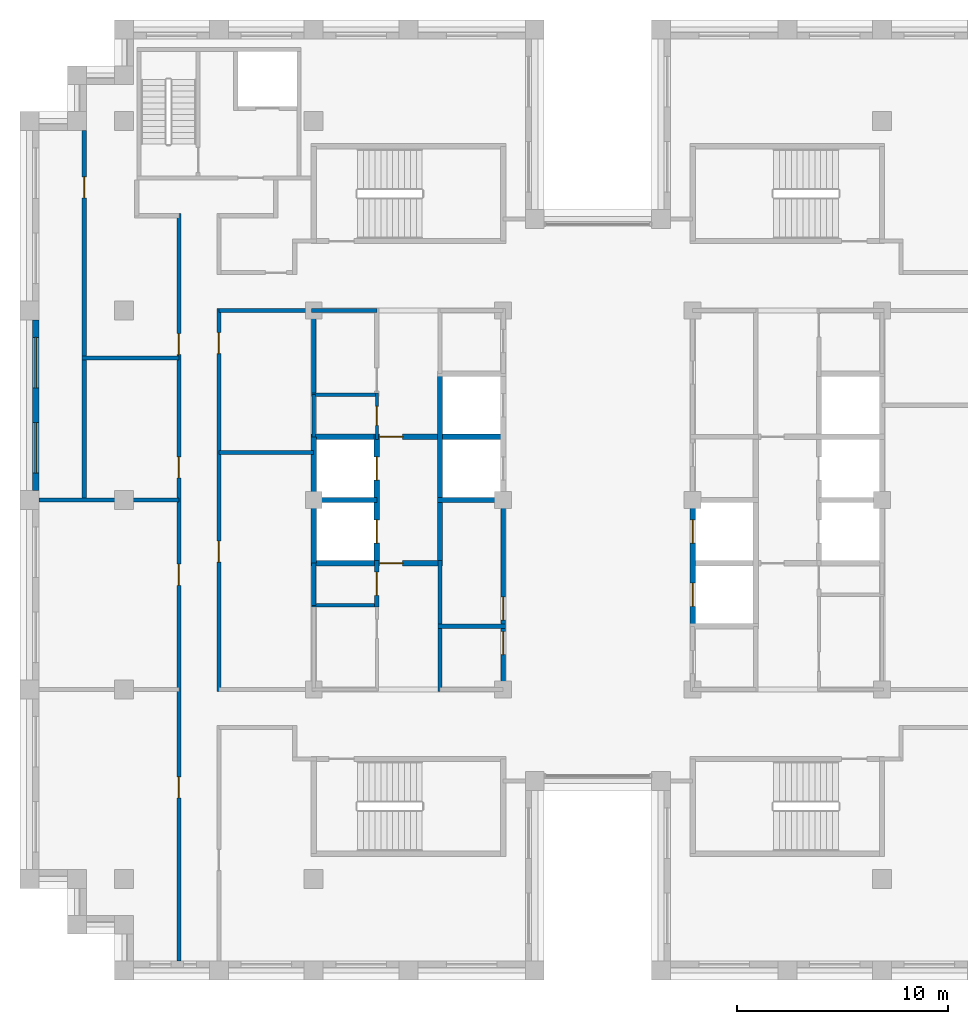
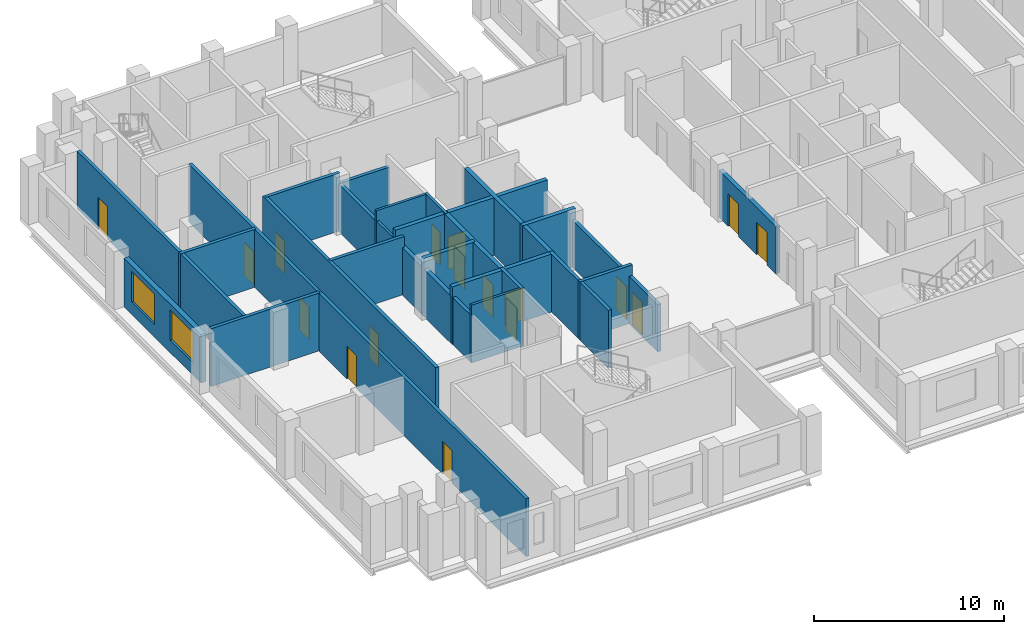
# One storey, part 7 of 13: 27 walls, 17 doors, 2 windows, 19 openings.
"""IFC4 building model written with IfcOpenShell, lengths in metres."""

from ifc_helpers import new_model, si_unit, direction, frame, frame_2d, origin, place, context, subcontext, project, spatial, rectangle, extrude, material, layer, layer_set, type_object, element, fill, save


model = new_model("IFC4")

# Units and contexts
model_context = context("Model", 3, precision=1e-05, world=origin(), true_north=direction((0.0, 1.0)))
body_context = subcontext(model_context, "Body", "Model", "MODEL_VIEW")
ifc_project = project(units=[si_unit("LENGTHUNIT", "METRE"), si_unit("AREAUNIT", "SQUARE_METRE"), si_unit("VOLUMEUNIT", "CUBIC_METRE"), si_unit("PLANEANGLEUNIT", "RADIAN"), si_unit("MASSUNIT", "GRAM", prefix="KILO")], contexts=[model_context])

# Site, building, storey
site_placement = place(None, origin())
site = spatial("IfcSite", under=ifc_project, at=site_placement, CompositionType="ELEMENT")
building_placement = place(site_placement, origin())
building = spatial("IfcBuilding", under=site, at=building_placement, Name="Corbelhall Arena Tower", CompositionType="ELEMENT")
storey_placement = place(building_placement, frame((0.0, 0.0, 250.0)))
storey = spatial("IfcBuildingStorey", under=building, at=storey_placement, Name="L53", CompositionType="ELEMENT", Elevation=250.0)

# Wall, openings, windows
ifc_material_1 = material(Name="Precast concrete C40/50 with granite facing", Category="masonry")
ifc_layer_1 = layer(ifc_material_1, 0.300048828125)
ifc_layer_set_1 = layer_set([ifc_layer_1], Name="EV-IW1 Infill panel 300")
wall_type_1 = type_object("IfcWallType", Name="EV-IW1 Infill panel 300", PredefinedType="SOLIDWALL", material=ifc_layer_set_1)
wall_1_placement = place(storey_placement, frame((-26.699951171875, 8.550048828125, 0.0), z_axis=(0.0, 0.0, 1.0), x_axis=(0.0, -1.0, 0.0)))
wall_1 = element("IfcWall", 1, at=wall_1_placement, inside=storey, type_object=wall_type_1, Name="Infill panel IW1", PredefinedType="SOLIDWALL", context=body_context, shape_type="SweptSolid", body=[
    extrude(rectangle(XDim=8.10009765625, YDim=0.300048828125, at=frame_2d((4.050048828125, 0.0))), origin(), (0.0, 0.0, 1.0), 3.1201171875),
])
opening_1_placement = place(wall_1_placement, frame((0.824951171875, 0.0, 0.800048828125)))
opening_1 = element("IfcOpeningElement", 2, at=opening_1_placement, cuts=wall_1, Name="Opening WN1", PredefinedType="OPENING", context=body_context, shape_type="SweptSolid", body=[
    extrude(rectangle(XDim=2.39990234375, YDim=1.949951171875, at=frame_2d((1.199951171875, 0.97509765625))), frame((0.0, 0.14990234375, 0.0), z_axis=(0.0, -1.0, 0.0), x_axis=(1.0, 0.0, 0.0)), (0.0, 0.0, 1.0), 0.300048828125),
])
opening_2_placement = place(wall_1_placement, frame((4.875, 0.0, 0.800048828125)))
opening_2 = element("IfcOpeningElement", 3, at=opening_2_placement, cuts=wall_1, Name="Opening WN1", PredefinedType="OPENING", context=body_context, shape_type="SweptSolid", body=[
    extrude(rectangle(XDim=2.39990234375, YDim=1.949951171875, at=frame_2d((1.199951171875, 0.97509765625))), frame((0.0, 0.14990234375, 0.0), z_axis=(0.0, -1.0, 0.0), x_axis=(1.0, 0.0, 0.0)), (0.0, 0.0, 1.0), 0.300048828125),
])
ifc_material_2 = material(Name="Aluminium black anodised", Category="aluminium")
window_type = type_object("IfcWindowType", Name="EV-WN1 Office window", PartitioningType="SINGLE_PANEL", PredefinedType="WINDOW", material=ifc_material_2)
window_1_placement = place(opening_1_placement, origin())
window_1 = element("IfcWindow", 4, at=window_1_placement, inside=storey, type_object=window_type, Name="Window WN1", OverallHeight=1.949951171875, OverallWidth=2.39990234375, PartitioningType="SINGLE_PANEL", PredefinedType="WINDOW", context=body_context, shape_type="SweptSolid", body=[
    extrude(rectangle(XDim=2.39990234375, YDim=1.949951171875, at=frame_2d((1.199951171875, 0.97509765625))), frame((0.0, 0.030029296875, 0.0), z_axis=(0.0, -1.0, 0.0), x_axis=(1.0, 0.0, 0.0)), (0.0, 0.0, 1.0), 0.06005859375),
])
fill(opening_1, window_1)
window_2_placement = place(opening_2_placement, origin())
window_2 = element("IfcWindow", 5, at=window_2_placement, inside=storey, type_object=window_type, Name="Window WN1", OverallHeight=1.949951171875, OverallWidth=2.39990234375, PartitioningType="SINGLE_PANEL", PredefinedType="WINDOW", context=body_context, shape_type="SweptSolid", body=[
    extrude(rectangle(XDim=2.39990234375, YDim=1.949951171875, at=frame_2d((1.199951171875, 0.97509765625))), frame((0.0, 0.030029296875, 0.0), z_axis=(0.0, -1.0, 0.0), x_axis=(1.0, 0.0, 0.0)), (0.0, 0.0, 1.0), 0.06005859375),
])
fill(opening_2, window_2)

# Wall
ifc_material_3 = material(Name="Gypsum board on steel stud, acoustic", Category="steel")
ifc_layer_2 = layer(ifc_material_3, 0.199951171875)
ifc_layer_set_2 = layer_set([ifc_layer_2], Name="IN-W-DM200")
wall_type_2 = type_object("IfcWallType", Name="IN-W-DM200", PredefinedType="PARTITIONING", material=ifc_layer_set_2)
wall_2_placement = place(storey_placement, frame((-24.5, 6.75, 0.0), z_axis=(0.0, 0.0, 1.0), x_axis=(1.0, 0.0, 0.0)))
element("IfcWall", 6, at=wall_2_placement, inside=storey, type_object=wall_type_2, Name="Partition 002", PredefinedType="PARTITIONING", context=body_context, shape_type="SweptSolid", body=[
    extrude(rectangle(XDim=4.60009765625, YDim=0.199951171875, at=frame_2d((2.300048828125, 0.0))), origin(), (0.0, 0.0, 1.0), 3.719970703125),
])

# Wall, opening, door
wall_3_placement = place(storey_placement, frame((-24.39990234375, -0.10009765625, 0.0), z_axis=(0.0, 0.0, 1.0), x_axis=(0.0, 1.0, 0.0)))
wall_3 = element("IfcWall", 7, at=wall_3_placement, inside=storey, type_object=wall_type_2, Name="Partition 003", PredefinedType="PARTITIONING", context=body_context, shape_type="SweptSolid", body=[
    extrude(rectangle(XDim=17.650146484375, YDim=0.199951171875, at=frame_2d((8.8251953125, 0.0))), origin(), (0.0, 0.0, 1.0), 3.719970703125),
])
opening_3_placement = place(wall_3_placement, frame((14.449951171875, 0.0, 0.0)))
opening_3 = element("IfcOpeningElement", 8, at=opening_3_placement, cuts=wall_3, Name="Opening 16031", PredefinedType="OPENING", context=body_context, shape_type="SweptSolid", body=[
    extrude(rectangle(XDim=1.0, YDim=2.10009765625, at=frame_2d((0.5, 1.050048828125))), frame((0.0, 0.10009765625, 0.0), z_axis=(0.0, -1.0, 0.0), x_axis=(1.0, 0.0, 0.0)), (0.0, 0.0, 1.0), 0.199951171875),
])
ifc_material_4 = material(Name="Steel door set", Category="steel")
door_type_1 = type_object("IfcDoorType", Name="IN-D-SW100", OperationType="NOTDEFINED", PredefinedType="DOOR", material=ifc_material_4)
door_1_placement = place(opening_3_placement, origin())
door_1 = element("IfcDoor", 9, at=door_1_placement, inside=storey, type_object=door_type_1, Name="Door 031", OperationType="SINGLE_SWING_RIGHT", OverallHeight=2.10009765625, OverallWidth=1.0, PredefinedType="DOOR", context=body_context, shape_type="SweptSolid", body=[
    extrude(rectangle(XDim=1.0, YDim=2.10009765625, at=frame_2d((0.5, 1.050048828125))), frame((0.0, 0.02490234375, 0.0), z_axis=(0.0, -1.0, 0.0), x_axis=(1.0, 0.0, 0.0)), (0.0, 0.0, 1.0), 0.050048828125),
])
fill(opening_3, door_1)

# Wall
wall_4_placement = place(storey_placement, frame((-19.89990234375, 0.0, 0.0), z_axis=(0.0, 0.0, 1.0), x_axis=(-1.0, 0.0, 0.0)))
element("IfcWall", 10, at=wall_4_placement, inside=storey, type_object=wall_type_2, Name="Partition 004", PredefinedType="PARTITIONING", context=body_context, shape_type="SweptSolid", body=[
    extrude(rectangle(XDim=6.650146484375, YDim=0.199951171875, at=frame_2d((3.3251953125, 0.0))), origin(), (0.0, 0.0, 1.0), 3.719970703125),
])

# Wall, openings, doors
wall_5_placement = place(storey_placement, frame((-19.89990234375, -21.89990234375, 0.0), z_axis=(0.0, 0.0, 1.0), x_axis=(0.0, 1.0, 0.0)))
wall_5 = element("IfcWall", 11, at=wall_5_placement, inside=storey, type_object=wall_type_2, Name="Partition 006", PredefinedType="PARTITIONING", context=body_context, shape_type="SweptSolid", body=[
    extrude(rectangle(XDim=35.5, YDim=0.199951171875, at=frame_2d((17.75, 0.0))), origin(), (0.0, 0.0, 1.0), 3.719970703125),
])
opening_4_placement = place(wall_5_placement, frame((22.949951171875, 0.0, 0.0)))
opening_4 = element("IfcOpeningElement", 12, at=opening_4_placement, cuts=wall_5, Name="Opening 16029", PredefinedType="OPENING", context=body_context, shape_type="SweptSolid", body=[
    extrude(rectangle(XDim=1.0, YDim=2.10009765625, at=frame_2d((0.5, 1.050048828125))), frame((0.0, 0.10009765625, 0.0), z_axis=(0.0, -1.0, 0.0), x_axis=(1.0, 0.0, 0.0)), (0.0, 0.0, 1.0), 0.199951171875),
])
opening_5_placement = place(wall_5_placement, frame((28.800048828125, 0.0, 0.0)))
opening_5 = element("IfcOpeningElement", 13, at=opening_5_placement, cuts=wall_5, Name="Opening 16030", PredefinedType="OPENING", context=body_context, shape_type="SweptSolid", body=[
    extrude(rectangle(XDim=1.0, YDim=2.10009765625, at=frame_2d((0.5, 1.050048828125))), frame((0.0, 0.10009765625, 0.0), z_axis=(0.0, -1.0, 0.0), x_axis=(1.0, 0.0, 0.0)), (0.0, 0.0, 1.0), 0.199951171875),
])
opening_6_placement = place(wall_5_placement, frame((7.75, 0.0, 0.0)))
opening_6 = element("IfcOpeningElement", 14, at=opening_6_placement, cuts=wall_5, Name="Opening 16032", PredefinedType="OPENING", context=body_context, shape_type="SweptSolid", body=[
    extrude(rectangle(XDim=1.0, YDim=2.10009765625, at=frame_2d((0.5, 1.050048828125))), frame((0.0, 0.10009765625, 0.0), z_axis=(0.0, -1.0, 0.0), x_axis=(1.0, 0.0, 0.0)), (0.0, 0.0, 1.0), 0.199951171875),
])
opening_7_placement = place(wall_5_placement, frame((17.85009765625, 0.0, 0.0)))
opening_7 = element("IfcOpeningElement", 15, at=opening_7_placement, cuts=wall_5, Name="Opening 16033", PredefinedType="OPENING", context=body_context, shape_type="SweptSolid", body=[
    extrude(rectangle(XDim=1.0, YDim=2.10009765625, at=frame_2d((0.5, 1.050048828125))), frame((0.0, 0.10009765625, 0.0), z_axis=(0.0, -1.0, 0.0), x_axis=(1.0, 0.0, 0.0)), (0.0, 0.0, 1.0), 0.199951171875),
])
door_2_placement = place(opening_4_placement, origin())
door_2 = element("IfcDoor", 16, at=door_2_placement, inside=storey, type_object=door_type_1, Name="Door 029", OperationType="SINGLE_SWING_RIGHT", OverallHeight=2.10009765625, OverallWidth=1.0, PredefinedType="DOOR", context=body_context, shape_type="SweptSolid", body=[
    extrude(rectangle(XDim=1.0, YDim=2.10009765625, at=frame_2d((0.5, 1.050048828125))), frame((0.0, 0.02490234375, 0.0), z_axis=(0.0, -1.0, 0.0), x_axis=(1.0, 0.0, 0.0)), (0.0, 0.0, 1.0), 0.050048828125),
])
fill(opening_4, door_2)
door_3_placement = place(opening_5_placement, origin())
door_3 = element("IfcDoor", 17, at=door_3_placement, inside=storey, type_object=door_type_1, Name="Door 030", OperationType="SINGLE_SWING_LEFT", OverallHeight=2.10009765625, OverallWidth=1.0, PredefinedType="DOOR", context=body_context, shape_type="SweptSolid", body=[
    extrude(rectangle(XDim=1.0, YDim=2.10009765625, at=frame_2d((0.5, 1.050048828125))), frame((0.0, 0.02490234375, 0.0), z_axis=(0.0, -1.0, 0.0), x_axis=(1.0, 0.0, 0.0)), (0.0, 0.0, 1.0), 0.050048828125),
])
fill(opening_5, door_3)
door_4_placement = place(opening_6_placement, origin())
door_4 = element("IfcDoor", 18, at=door_4_placement, inside=storey, type_object=door_type_1, Name="Door 032", OperationType="SINGLE_SWING_LEFT", OverallHeight=2.10009765625, OverallWidth=1.0, PredefinedType="DOOR", context=body_context, shape_type="SweptSolid", body=[
    extrude(rectangle(XDim=1.0, YDim=2.10009765625, at=frame_2d((0.5, 1.050048828125))), frame((0.0, 0.02490234375, 0.0), z_axis=(0.0, -1.0, 0.0), x_axis=(1.0, 0.0, 0.0)), (0.0, 0.0, 1.0), 0.050048828125),
])
fill(opening_6, door_4)
door_5_placement = place(opening_7_placement, origin())
door_5 = element("IfcDoor", 19, at=door_5_placement, inside=storey, type_object=door_type_1, Name="Door 033", OperationType="SINGLE_SWING_RIGHT", OverallHeight=2.10009765625, OverallWidth=1.0, PredefinedType="DOOR", context=body_context, shape_type="SweptSolid", body=[
    extrude(rectangle(XDim=1.0, YDim=2.10009765625, at=frame_2d((0.5, 1.050048828125))), frame((0.0, 0.02490234375, 0.0), z_axis=(0.0, -1.0, 0.0), x_axis=(1.0, 0.0, 0.0)), (0.0, 0.0, 1.0), 0.050048828125),
])
fill(opening_7, door_5)

# Wall
wall_6_placement = place(storey_placement, frame((-18.0, 2.25, 0.0), z_axis=(0.0, 0.0, 1.0), x_axis=(1.0, 0.0, 0.0)))
element("IfcWall", 20, at=wall_6_placement, inside=storey, type_object=wall_type_2, Name="Partition 010", PredefinedType="PARTITIONING", context=body_context, shape_type="SweptSolid", body=[
    extrude(rectangle(XDim=4.5, YDim=0.199951171875, at=frame_2d((2.25, 0.0))), origin(), (0.0, 0.0, 1.0), 3.719970703125),
])

# Wall, openings, doors
wall_7_placement = place(storey_placement, frame((-18.0, 9.10009765625, 0.0), z_axis=(0.0, 0.0, 1.0), x_axis=(0.0, -1.0, 0.0)))
wall_7 = element("IfcWall", 21, at=wall_7_placement, inside=storey, type_object=wall_type_2, Name="Partition 011", PredefinedType="PARTITIONING", context=body_context, shape_type="SweptSolid", body=[
    extrude(rectangle(XDim=18.2001953125, YDim=0.199951171875, at=frame_2d((9.10009765625, 0.0))), origin(), (0.0, 0.0, 1.0), 3.719970703125),
])
opening_8_placement = place(wall_7_placement, frame((11.050048828125, 0.0, 0.0)))
opening_8 = element("IfcOpeningElement", 22, at=opening_8_placement, cuts=wall_7, Name="Opening 16021", PredefinedType="OPENING", context=body_context, shape_type="SweptSolid", body=[
    extrude(rectangle(XDim=1.0, YDim=2.10009765625, at=frame_2d((0.5, 1.050048828125))), frame((0.0, 0.10009765625, 0.0), z_axis=(0.0, -1.0, 0.0), x_axis=(1.0, 0.0, 0.0)), (0.0, 0.0, 1.0), 0.199951171875),
])
opening_9_placement = place(wall_7_placement, frame((1.14990234375, 0.0, 0.0)))
opening_9 = element("IfcOpeningElement", 23, at=opening_9_placement, cuts=wall_7, Name="Opening 16022", PredefinedType="OPENING", context=body_context, shape_type="SweptSolid", body=[
    extrude(rectangle(XDim=1.0, YDim=2.10009765625, at=frame_2d((0.5, 1.050048828125))), frame((0.0, 0.10009765625, 0.0), z_axis=(0.0, -1.0, 0.0), x_axis=(1.0, 0.0, 0.0)), (0.0, 0.0, 1.0), 0.199951171875),
])
door_6_placement = place(opening_8_placement, origin())
door_6 = element("IfcDoor", 24, at=door_6_placement, inside=storey, type_object=door_type_1, Name="Door 021", OperationType="SINGLE_SWING_RIGHT", OverallHeight=2.10009765625, OverallWidth=1.0, PredefinedType="DOOR", context=body_context, shape_type="SweptSolid", body=[
    extrude(rectangle(XDim=1.0, YDim=2.10009765625, at=frame_2d((0.5, 1.050048828125))), frame((0.0, 0.02490234375, 0.0), z_axis=(0.0, -1.0, 0.0), x_axis=(1.0, 0.0, 0.0)), (0.0, 0.0, 1.0), 0.050048828125),
])
fill(opening_8, door_6)
door_7_placement = place(opening_9_placement, origin())
door_7 = element("IfcDoor", 25, at=door_7_placement, inside=storey, type_object=door_type_1, Name="Door 022", OperationType="SINGLE_SWING_LEFT", OverallHeight=2.10009765625, OverallWidth=1.0, PredefinedType="DOOR", context=body_context, shape_type="SweptSolid", body=[
    extrude(rectangle(XDim=1.0, YDim=2.10009765625, at=frame_2d((0.5, 1.050048828125))), frame((0.0, 0.02490234375, 0.0), z_axis=(0.0, -1.0, 0.0), x_axis=(1.0, 0.0, 0.0)), (0.0, 0.0, 1.0), 0.050048828125),
])
fill(opening_9, door_7)

# Wall
wall_8_placement = place(storey_placement, frame((-13.5, 9.0, 0.0), z_axis=(0.0, 0.0, 1.0), x_axis=(-1.0, 0.0, 0.0)))
element("IfcWall", 26, at=wall_8_placement, inside=storey, type_object=wall_type_2, Name="Partition 019", PredefinedType="PARTITIONING", context=body_context, shape_type="SweptSolid", body=[
    extrude(rectangle(XDim=4.5, YDim=0.199951171875, at=frame_2d((2.25, 0.0))), origin(), (0.0, 0.0, 1.0), 3.719970703125),
])

# Wall, opening, door
ifc_material_5 = material(Name="Concrete block wall", Category="concrete")
ifc_layer_3 = layer(ifc_material_5, 0.199951171875)
ifc_layer_set_3 = layer_set([ifc_layer_3], Name="IN-W-RS200")
wall_type_3 = type_object("IfcWallType", Name="IN-W-RS200", PredefinedType="SOLIDWALL", material=ifc_layer_set_3)
wall_9_placement = place(storey_placement, frame((-10.5, -5.074951171875, 0.0), z_axis=(0.0, 0.0, 1.0), x_axis=(0.0, 1.0, 0.0)))
wall_9 = element("IfcWall", 27, at=wall_9_placement, inside=storey, type_object=wall_type_3, Name="Partition 047", PredefinedType="SOLIDWALL", context=body_context, shape_type="SweptSolid", body=[
    extrude(rectangle(XDim=2.199951171875, YDim=0.199951171875, at=frame_2d((1.10009765625, 0.0))), origin(), (0.0, 0.0, 1.0), 3.719970703125),
])
opening_10_placement = place(wall_9_placement, frame((0.550048828125, 0.0, 0.0)))
opening_10 = element("IfcOpeningElement", 28, at=opening_10_placement, cuts=wall_9, Name="Opening 16007", PredefinedType="OPENING", context=body_context, shape_type="SweptSolid", body=[
    extrude(rectangle(XDim=1.10009765625, YDim=2.10009765625, at=frame_2d((0.550048828125, 1.050048828125))), frame((0.0, 0.10009765625, 0.0), z_axis=(0.0, -1.0, 0.0), x_axis=(1.0, 0.0, 0.0)), (0.0, 0.0, 1.0), 0.199951171875),
])
door_type_2 = type_object("IfcDoorType", Name="IN-D-FD110", OperationType="NOTDEFINED", PredefinedType="DOOR", material=ifc_material_4)
door_8_placement = place(opening_10_placement, origin())
door_8 = element("IfcDoor", 29, at=door_8_placement, inside=storey, type_object=door_type_2, Name="Door 007", OperationType="SINGLE_SWING_RIGHT", OverallHeight=2.10009765625, OverallWidth=1.10009765625, PredefinedType="DOOR", context=body_context, shape_type="SweptSolid", body=[
    extrude(rectangle(XDim=1.10009765625, YDim=2.10009765625, at=frame_2d((0.550048828125, 1.050048828125))), frame((0.0, 0.02490234375, 0.0), z_axis=(0.0, -1.0, 0.0), x_axis=(1.0, 0.0, 0.0)), (0.0, 0.0, 1.0), 0.050048828125),
])
fill(opening_10, door_8)

# Walls
wall_10_placement = place(storey_placement, frame((-7.60009765625, -6.0, 0.0), z_axis=(0.0, 0.0, 1.0), x_axis=(1.0, 0.0, 0.0)))
element("IfcWall", 30, at=wall_10_placement, inside=storey, type_object=wall_type_3, Name="Partition 049", PredefinedType="SOLIDWALL", context=body_context, shape_type="SweptSolid", body=[
    extrude(rectangle(XDim=3.2001953125, YDim=0.199951171875, at=frame_2d((1.60009765625, 0.0))), origin(), (0.0, 0.0, 1.0), 3.719970703125),
])
wall_11_placement = place(storey_placement, frame((-7.5, -9.10009765625, 0.0), z_axis=(0.0, 0.0, 1.0), x_axis=(0.0, 1.0, 0.0)))
element("IfcWall", 31, at=wall_11_placement, inside=storey, type_object=wall_type_3, Name="Partition 050", PredefinedType="SOLIDWALL", context=body_context, shape_type="SweptSolid", body=[
    extrude(rectangle(XDim=6.22509765625, YDim=0.199951171875, at=frame_2d((3.112548828125, 0.0))), origin(), (0.0, 0.0, 1.0), 3.719970703125),
])
ifc_layer_4 = layer(ifc_material_5, 0.199951171875)
ifc_layer_set_4 = layer_set([ifc_layer_4], Name="IN-W-RS200 under beam 678 mm")
wall_type_4 = type_object("IfcWallType", Name="IN-W-RS200 under beam 678 mm", PredefinedType="SOLIDWALL", material=ifc_layer_set_4)
wall_12_placement = place(storey_placement, frame((-13.60009765625, 9.0, 0.0), z_axis=(0.0, 0.0, 1.0), x_axis=(1.0, 0.0, 0.0)))
element("IfcWall", 32, at=wall_12_placement, inside=storey, type_object=wall_type_4, Name="Partition 044", PredefinedType="SOLIDWALL", context=body_context, shape_type="SweptSolid", body=[
    extrude(rectangle(XDim=3.10009765625, YDim=0.199951171875, at=frame_2d((1.550048828125, 0.0))), origin(), (0.0, 0.0, 1.0), 3.041748046875),
])
wall_13_placement = place(storey_placement, frame((-13.5, -5.0, 0.0), z_axis=(0.0, 0.0, 1.0), x_axis=(0.0, 1.0, 0.0)))
element("IfcWall", 33, at=wall_13_placement, inside=storey, type_object=wall_type_4, Name="Partition 045", PredefinedType="SOLIDWALL", context=body_context, shape_type="SweptSolid", body=[
    extrude(rectangle(XDim=2.0, YDim=0.199951171875, at=frame_2d((1.0, 0.0))), origin(), (0.0, 0.0, 1.0), 3.041748046875),
])
wall_14_placement = place(storey_placement, frame((-13.5, 5.0, 0.0), z_axis=(0.0, 0.0, 1.0), x_axis=(0.0, 1.0, 0.0)))
element("IfcWall", 34, at=wall_14_placement, inside=storey, type_object=wall_type_4, Name="Partition 046", PredefinedType="SOLIDWALL", context=body_context, shape_type="SweptSolid", body=[
    extrude(rectangle(XDim=4.10009765625, YDim=0.199951171875, at=frame_2d((2.050048828125, 0.0))), origin(), (0.0, 0.0, 1.0), 3.041748046875),
])

# Wall, openings, doors
wall_15_placement = place(storey_placement, frame((-4.5, 0.0, 0.0), z_axis=(0.0, 0.0, 1.0), x_axis=(0.0, -1.0, 0.0)))
wall_15 = element("IfcWall", 35, at=wall_15_placement, inside=storey, type_object=wall_type_4, Name="Partition 054", PredefinedType="SOLIDWALL", context=body_context, shape_type="SweptSolid", body=[
    extrude(rectangle(XDim=9.10009765625, YDim=0.199951171875, at=frame_2d((4.550048828125, 0.0))), origin(), (0.0, 0.0, 1.0), 3.041748046875),
])
opening_11_placement = place(wall_15_placement, frame((6.25, 0.0, 0.0)))
opening_11 = element("IfcOpeningElement", 36, at=opening_11_placement, cuts=wall_15, Name="Opening 16001", PredefinedType="OPENING", context=body_context, shape_type="SweptSolid", body=[
    extrude(rectangle(XDim=1.10009765625, YDim=2.10009765625, at=frame_2d((0.550048828125, 1.050048828125))), frame((0.0, 0.10009765625, 0.0), z_axis=(0.0, -1.0, 0.0), x_axis=(1.0, 0.0, 0.0)), (0.0, 0.0, 1.0), 0.199951171875),
])
opening_12_placement = place(wall_15_placement, frame((4.60009765625, 0.0, 0.0)))
opening_12 = element("IfcOpeningElement", 37, at=opening_12_placement, cuts=wall_15, Name="Opening 16002", PredefinedType="OPENING", context=body_context, shape_type="SweptSolid", body=[
    extrude(rectangle(XDim=1.10009765625, YDim=2.10009765625, at=frame_2d((0.550048828125, 1.050048828125))), frame((0.0, 0.10009765625, 0.0), z_axis=(0.0, -1.0, 0.0), x_axis=(1.0, 0.0, 0.0)), (0.0, 0.0, 1.0), 0.199951171875),
])
door_9_placement = place(opening_11_placement, origin())
door_9 = element("IfcDoor", 38, at=door_9_placement, inside=storey, type_object=door_type_2, Name="Door 001", OperationType="SINGLE_SWING_RIGHT", OverallHeight=2.10009765625, OverallWidth=1.10009765625, PredefinedType="DOOR", context=body_context, shape_type="SweptSolid", body=[
    extrude(rectangle(XDim=1.10009765625, YDim=2.10009765625, at=frame_2d((0.550048828125, 1.050048828125))), frame((0.0, 0.02490234375, 0.0), z_axis=(0.0, -1.0, 0.0), x_axis=(1.0, 0.0, 0.0)), (0.0, 0.0, 1.0), 0.050048828125),
])
fill(opening_11, door_9)
door_10_placement = place(opening_12_placement, origin())
door_10 = element("IfcDoor", 39, at=door_10_placement, inside=storey, type_object=door_type_2, Name="Door 002", OperationType="SINGLE_SWING_LEFT", OverallHeight=2.10009765625, OverallWidth=1.10009765625, PredefinedType="DOOR", context=body_context, shape_type="SweptSolid", body=[
    extrude(rectangle(XDim=1.10009765625, YDim=2.10009765625, at=frame_2d((0.550048828125, 1.050048828125))), frame((0.0, 0.02490234375, 0.0), z_axis=(0.0, -1.0, 0.0), x_axis=(1.0, 0.0, 0.0)), (0.0, 0.0, 1.0), 0.050048828125),
])
fill(opening_12, door_10)

# Wall
ifc_material_6 = material(Name="Concrete C40/50", Category="concrete")
ifc_layer_5 = layer(ifc_material_6, 0.25)
ifc_layer_set_5 = layer_set([ifc_layer_5], Name="IN-W-SH250")
wall_type_5 = type_object("IfcWallType", Name="IN-W-SH250", PredefinedType="SOLIDWALL", material=ifc_layer_set_5)
wall_16_placement = place(storey_placement, frame((-13.625, 0.0, 0.0), z_axis=(0.0, 0.0, 1.0), x_axis=(1.0, 0.0, 0.0)))
element("IfcWall", 40, at=wall_16_placement, inside=storey, type_object=wall_type_5, Name="Shaft wall 068", PredefinedType="SOLIDWALL", context=body_context, shape_type="SweptSolid", body=[
    extrude(rectangle(XDim=3.125, YDim=0.25, at=frame_2d((1.5625, 0.0))), origin(), (0.0, 0.0, 1.0), 3.719970703125),
])

# Wall, opening, door
wall_17_placement = place(storey_placement, frame((-13.625, 3.0, 0.0), z_axis=(0.0, 0.0, 1.0), x_axis=(1.0, 0.0, 0.0)))
wall_17 = element("IfcWall", 41, at=wall_17_placement, inside=storey, type_object=wall_type_5, Name="Shaft wall 069", PredefinedType="SOLIDWALL", context=body_context, shape_type="SweptSolid", body=[
    extrude(rectangle(XDim=9.25, YDim=0.25, at=frame_2d((4.625, 0.0))), origin(), (0.0, 0.0, 1.0), 3.719970703125),
])
opening_13_placement = place(wall_17_placement, frame((3.25, 0.0, 0.0)))
opening_13 = element("IfcOpeningElement", 42, at=opening_13_placement, cuts=wall_17, Name="Opening 16005", PredefinedType="OPENING", context=body_context, shape_type="SweptSolid", body=[
    extrude(rectangle(XDim=1.10009765625, YDim=2.10009765625, at=frame_2d((0.550048828125, 1.050048828125))), frame((0.0, 0.125, 0.0), z_axis=(0.0, -1.0, 0.0), x_axis=(1.0, 0.0, 0.0)), (0.0, 0.0, 1.0), 0.25),
])
door_11_placement = place(opening_13_placement, origin())
door_11 = element("IfcDoor", 43, at=door_11_placement, inside=storey, type_object=door_type_2, Name="Door 005", OperationType="SINGLE_SWING_RIGHT", OverallHeight=2.10009765625, OverallWidth=1.10009765625, PredefinedType="DOOR", context=body_context, shape_type="SweptSolid", body=[
    extrude(rectangle(XDim=1.10009765625, YDim=2.10009765625, at=frame_2d((0.550048828125, 1.050048828125))), frame((0.0, 0.02490234375, 0.0), z_axis=(0.0, -1.0, 0.0), x_axis=(1.0, 0.0, 0.0)), (0.0, 0.0, 1.0), 0.050048828125),
])
fill(opening_13, door_11)

wall_18_placement = place(storey_placement, frame((-13.625, -3.0, 0.0), z_axis=(0.0, 0.0, 1.0), x_axis=(1.0, 0.0, 0.0)))
wall_18 = element("IfcWall", 44, at=wall_18_placement, inside=storey, type_object=wall_type_5, Name="Shaft wall 071", PredefinedType="SOLIDWALL", context=body_context, shape_type="SweptSolid", body=[
    extrude(rectangle(XDim=6.125, YDim=0.25, at=frame_2d((3.0625, 0.0))), origin(), (0.0, 0.0, 1.0), 3.719970703125),
])
opening_14_placement = place(wall_18_placement, frame((3.25, 0.0, 0.0)))
opening_14 = element("IfcOpeningElement", 45, at=opening_14_placement, cuts=wall_18, Name="Opening 16004", PredefinedType="OPENING", context=body_context, shape_type="SweptSolid", body=[
    extrude(rectangle(XDim=1.10009765625, YDim=2.10009765625, at=frame_2d((0.550048828125, 1.050048828125))), frame((0.0, 0.125, 0.0), z_axis=(0.0, -1.0, 0.0), x_axis=(1.0, 0.0, 0.0)), (0.0, 0.0, 1.0), 0.25),
])
door_12_placement = place(opening_14_placement, origin())
door_12 = element("IfcDoor", 46, at=door_12_placement, inside=storey, type_object=door_type_2, Name="Door 004", OperationType="SINGLE_SWING_LEFT", OverallHeight=2.10009765625, OverallWidth=1.10009765625, PredefinedType="DOOR", context=body_context, shape_type="SweptSolid", body=[
    extrude(rectangle(XDim=1.10009765625, YDim=2.10009765625, at=frame_2d((0.550048828125, 1.050048828125))), frame((0.0, 0.02490234375, 0.0), z_axis=(0.0, -1.0, 0.0), x_axis=(1.0, 0.0, 0.0)), (0.0, 0.0, 1.0), 0.050048828125),
])
fill(opening_14, door_12)

# Wall, openings, doors
wall_19_placement = place(storey_placement, frame((-10.5, -3.125, 0.0), z_axis=(0.0, 0.0, 1.0), x_axis=(0.0, 1.0, 0.0)))
wall_19 = element("IfcWall", 47, at=wall_19_placement, inside=storey, type_object=wall_type_5, Name="Shaft wall 072", PredefinedType="SOLIDWALL", context=body_context, shape_type="SweptSolid", body=[
    extrude(rectangle(XDim=6.25, YDim=0.25, at=frame_2d((3.125, 0.0))), origin(), (0.0, 0.0, 1.0), 3.719970703125),
])
opening_15_placement = place(wall_19_placement, frame((1.074951171875, 0.0, 0.0)))
opening_15 = element("IfcOpeningElement", 48, at=opening_15_placement, cuts=wall_19, Name="Opening LD", PredefinedType="OPENING", context=body_context, shape_type="SweptSolid", body=[
    extrude(rectangle(XDim=1.10009765625, YDim=2.10009765625, at=frame_2d((0.550048828125, 1.050048828125))), frame((0.0, 0.125, 0.0), z_axis=(0.0, -1.0, 0.0), x_axis=(1.0, 0.0, 0.0)), (0.0, 0.0, 1.0), 0.25),
])
opening_16_placement = place(wall_19_placement, frame((4.074951171875, 0.0, 0.0)))
opening_16 = element("IfcOpeningElement", 49, at=opening_16_placement, cuts=wall_19, Name="Opening LD", PredefinedType="OPENING", context=body_context, shape_type="SweptSolid", body=[
    extrude(rectangle(XDim=1.10009765625, YDim=2.10009765625, at=frame_2d((0.550048828125, 1.050048828125))), frame((0.0, 0.125, 0.0), z_axis=(0.0, -1.0, 0.0), x_axis=(1.0, 0.0, 0.0)), (0.0, 0.0, 1.0), 0.25),
])
door_type_3 = type_object("IfcDoorType", Name="IN-D-LD110", OperationType="NOTDEFINED", PredefinedType="DOOR", material=ifc_material_4)
door_13_placement = place(opening_15_placement, origin())
door_13 = element("IfcDoor", 50, at=door_13_placement, inside=storey, type_object=door_type_3, Name="Landing door W3", OperationType="SLIDING_TO_LEFT", OverallHeight=2.10009765625, OverallWidth=1.10009765625, PredefinedType="DOOR", context=body_context, shape_type="SweptSolid", body=[
    extrude(rectangle(XDim=1.10009765625, YDim=2.10009765625, at=frame_2d((0.550048828125, 1.050048828125))), frame((0.0, 0.02490234375, 0.0), z_axis=(0.0, -1.0, 0.0), x_axis=(1.0, 0.0, 0.0)), (0.0, 0.0, 1.0), 0.050048828125),
])
fill(opening_15, door_13)
door_14_placement = place(opening_16_placement, origin())
door_14 = element("IfcDoor", 51, at=door_14_placement, inside=storey, type_object=door_type_3, Name="Landing door W4", OperationType="SLIDING_TO_LEFT", OverallHeight=2.10009765625, OverallWidth=1.10009765625, PredefinedType="DOOR", context=body_context, shape_type="SweptSolid", body=[
    extrude(rectangle(XDim=1.10009765625, YDim=2.10009765625, at=frame_2d((0.550048828125, 1.050048828125))), frame((0.0, 0.02490234375, 0.0), z_axis=(0.0, -1.0, 0.0), x_axis=(1.0, 0.0, 0.0)), (0.0, 0.0, 1.0), 0.050048828125),
])
fill(opening_16, door_14)

# Walls
wall_20_placement = place(storey_placement, frame((-7.625, 0.0, 0.0), z_axis=(0.0, 0.0, 1.0), x_axis=(1.0, 0.0, 0.0)))
element("IfcWall", 52, at=wall_20_placement, inside=storey, type_object=wall_type_5, Name="Shaft wall 073", PredefinedType="SOLIDWALL", context=body_context, shape_type="SweptSolid", body=[
    extrude(rectangle(XDim=3.25, YDim=0.25, at=frame_2d((1.625, 0.0))), origin(), (0.0, 0.0, 1.0), 3.719970703125),
])
wall_21_placement = place(storey_placement, frame((-7.5, -3.125, 0.0), z_axis=(0.0, 0.0, 1.0), x_axis=(0.0, 1.0, 0.0)))
element("IfcWall", 53, at=wall_21_placement, inside=storey, type_object=wall_type_5, Name="Shaft wall 075", PredefinedType="SOLIDWALL", context=body_context, shape_type="SweptSolid", body=[
    extrude(rectangle(XDim=9.125, YDim=0.25, at=frame_2d((4.5625, 0.0))), origin(), (0.0, 0.0, 1.0), 3.719970703125),
])
ifc_layer_6 = layer(ifc_material_6, 0.25)
ifc_layer_set_6 = layer_set([ifc_layer_6], Name="IN-W-SH250 under beam 678 mm")
wall_type_6 = type_object("IfcWallType", Name="IN-W-SH250 under beam 678 mm", PredefinedType="SOLIDWALL", material=ifc_layer_set_6)
wall_22_placement = place(storey_placement, frame((-13.5, -3.0, 0.0), z_axis=(0.0, 0.0, 1.0), x_axis=(0.0, 1.0, 0.0)))
element("IfcWall", 54, at=wall_22_placement, inside=storey, type_object=wall_type_6, Name="Shaft wall 070", PredefinedType="SOLIDWALL", context=body_context, shape_type="SweptSolid", body=[
    extrude(rectangle(XDim=6.0, YDim=0.25, at=frame_2d((3.0, 0.0))), origin(), (0.0, 0.0, 1.0), 3.041748046875),
])

# Wall, openings, doors
wall_23_placement = place(storey_placement, frame((4.5, -6.0, 0.0), z_axis=(0.0, 0.0, 1.0), x_axis=(0.0, 1.0, 0.0)))
wall_23 = element("IfcWall", 55, at=wall_23_placement, inside=storey, type_object=wall_type_6, Name="Shaft wall 080", PredefinedType="SOLIDWALL", context=body_context, shape_type="SweptSolid", body=[
    extrude(rectangle(XDim=6.0, YDim=0.25, at=frame_2d((3.0, 0.0))), origin(), (0.0, 0.0, 1.0), 3.041748046875),
])
opening_17_placement = place(wall_23_placement, frame((0.949951171875, 0.0, 0.0)))
opening_17 = element("IfcOpeningElement", 56, at=opening_17_placement, cuts=wall_23, Name="Opening LD", PredefinedType="OPENING", context=body_context, shape_type="SweptSolid", body=[
    extrude(rectangle(XDim=1.10009765625, YDim=2.10009765625, at=frame_2d((0.550048828125, 1.050048828125))), frame((0.0, 0.125, 0.0), z_axis=(0.0, -1.0, 0.0), x_axis=(1.0, 0.0, 0.0)), (0.0, 0.0, 1.0), 0.25),
])
opening_18_placement = place(wall_23_placement, frame((3.949951171875, 0.0, 0.0)))
opening_18 = element("IfcOpeningElement", 57, at=opening_18_placement, cuts=wall_23, Name="Opening LD", PredefinedType="OPENING", context=body_context, shape_type="SweptSolid", body=[
    extrude(rectangle(XDim=1.10009765625, YDim=2.10009765625, at=frame_2d((0.550048828125, 1.050048828125))), frame((0.0, 0.125, 0.0), z_axis=(0.0, -1.0, 0.0), x_axis=(1.0, 0.0, 0.0)), (0.0, 0.0, 1.0), 0.25),
])
door_15_placement = place(opening_17_placement, origin())
door_15 = element("IfcDoor", 58, at=door_15_placement, inside=storey, type_object=door_type_3, Name="Landing door E2", OperationType="SLIDING_TO_LEFT", OverallHeight=2.10009765625, OverallWidth=1.10009765625, PredefinedType="DOOR", context=body_context, shape_type="SweptSolid", body=[
    extrude(rectangle(XDim=1.10009765625, YDim=2.10009765625, at=frame_2d((0.550048828125, 1.050048828125))), frame((0.0, 0.02490234375, 0.0), z_axis=(0.0, -1.0, 0.0), x_axis=(1.0, 0.0, 0.0)), (0.0, 0.0, 1.0), 0.050048828125),
])
fill(opening_17, door_15)
door_16_placement = place(opening_18_placement, origin())
door_16 = element("IfcDoor", 59, at=door_16_placement, inside=storey, type_object=door_type_3, Name="Landing door E3", OperationType="SLIDING_TO_LEFT", OverallHeight=2.10009765625, OverallWidth=1.10009765625, PredefinedType="DOOR", context=body_context, shape_type="SweptSolid", body=[
    extrude(rectangle(XDim=1.10009765625, YDim=2.10009765625, at=frame_2d((0.550048828125, 1.050048828125))), frame((0.0, 0.02490234375, 0.0), z_axis=(0.0, -1.0, 0.0), x_axis=(1.0, 0.0, 0.0)), (0.0, 0.0, 1.0), 0.050048828125),
])
fill(opening_18, door_16)

# Walls
ifc_material_7 = material(Name="Gypsum board on steel stud, moisture resistant", Category="steel")
ifc_layer_7 = layer(ifc_material_7, 0.14990234375)
ifc_layer_set_7 = layer_set([ifc_layer_7], Name="IN-W-WC150")
wall_type_7 = type_object("IfcWallType", Name="IN-W-WC150", PredefinedType="PARTITIONING", material=ifc_layer_set_7)
for number, where, z_axis, x_axis, name in (
    (60, (-13.60009765625, -5.0, 0.0), (0.0, 0.0, 1.0), (1.0, 0.0, 0.0), "Partition 103"),
    (61, (-13.60009765625, 5.0, 0.0), (0.0, 0.0, 1.0), (1.0, 0.0, 0.0), "Partition 104"),
):
    element("IfcWall", number, at=place(storey_placement, frame(where, z_axis=z_axis, x_axis=x_axis)), inside=storey, type_object=wall_type_7, Name=name, PredefinedType="PARTITIONING", context=body_context, shape_type="SweptSolid", body=[
        extrude(rectangle(XDim=3.10009765625, YDim=0.14990234375, at=frame_2d((1.550048828125, 0.0))), origin(), (0.0, 0.0, 1.0), 3.719970703125),
    ])

# Wall, opening, door
wall_24_placement = place(storey_placement, frame((-10.5, 2.875, 0.0), z_axis=(0.0, 0.0, 1.0), x_axis=(0.0, 1.0, 0.0)))
wall_24 = element("IfcWall", 62, at=wall_24_placement, inside=storey, type_object=wall_type_7, Name="Partition 109", PredefinedType="PARTITIONING", context=body_context, shape_type="SweptSolid", body=[
    extrude(rectangle(XDim=2.199951171875, YDim=0.14990234375, at=frame_2d((1.10009765625, 0.0))), origin(), (0.0, 0.0, 1.0), 3.719970703125),
])
opening_19_placement = place(wall_24_placement, frame((0.669921875, 0.0, 0.0)))
opening_19 = element("IfcOpeningElement", 63, at=opening_19_placement, cuts=wall_24, Name="Opening 16040", PredefinedType="OPENING", context=body_context, shape_type="SweptSolid", body=[
    extrude(rectangle(XDim=0.89990234375, YDim=2.10009765625, at=frame_2d((0.449951171875, 1.050048828125))), frame((0.0, 0.074951171875, 0.0), z_axis=(0.0, -1.0, 0.0), x_axis=(1.0, 0.0, 0.0)), (0.0, 0.0, 1.0), 0.14990234375),
])
ifc_material_8 = material(Name="Timber door set", Category="wood")
door_type_4 = type_object("IfcDoorType", Name="IN-D-SW90", OperationType="NOTDEFINED", PredefinedType="DOOR", material=ifc_material_8)
door_17_placement = place(opening_19_placement, origin())
door_17 = element("IfcDoor", 64, at=door_17_placement, inside=storey, type_object=door_type_4, Name="Door 040", OperationType="SINGLE_SWING_LEFT", OverallHeight=2.10009765625, OverallWidth=0.89990234375, PredefinedType="DOOR", context=body_context, shape_type="SweptSolid", body=[
    extrude(rectangle(XDim=0.89990234375, YDim=2.10009765625, at=frame_2d((0.449951171875, 1.050048828125))), frame((0.0, 0.02490234375, 0.0), z_axis=(0.0, -1.0, 0.0), x_axis=(1.0, 0.0, 0.0)), (0.0, 0.0, 1.0), 0.050048828125),
])
fill(opening_19, door_17)

# Wall
ifc_layer_8 = layer(ifc_material_7, 0.14990234375)
ifc_layer_set_8 = layer_set([ifc_layer_8], Name="IN-W-WC150 under beam 678 mm")
wall_type_8 = type_object("IfcWallType", Name="IN-W-WC150 under beam 678 mm", PredefinedType="PARTITIONING", material=ifc_layer_set_8)
wall_25_placement = place(storey_placement, frame((-13.5, 3.0, 0.0), z_axis=(0.0, 0.0, 1.0), x_axis=(0.0, 1.0, 0.0)))
element("IfcWall", 65, at=wall_25_placement, inside=storey, type_object=wall_type_8, Name="Partition 106", PredefinedType="PARTITIONING", context=body_context, shape_type="SweptSolid", body=[
    extrude(rectangle(XDim=2.0, YDim=0.14990234375, at=frame_2d((1.0, 0.0))), origin(), (0.0, 0.0, 1.0), 3.041748046875),
])

save(model, "model.ifc")
